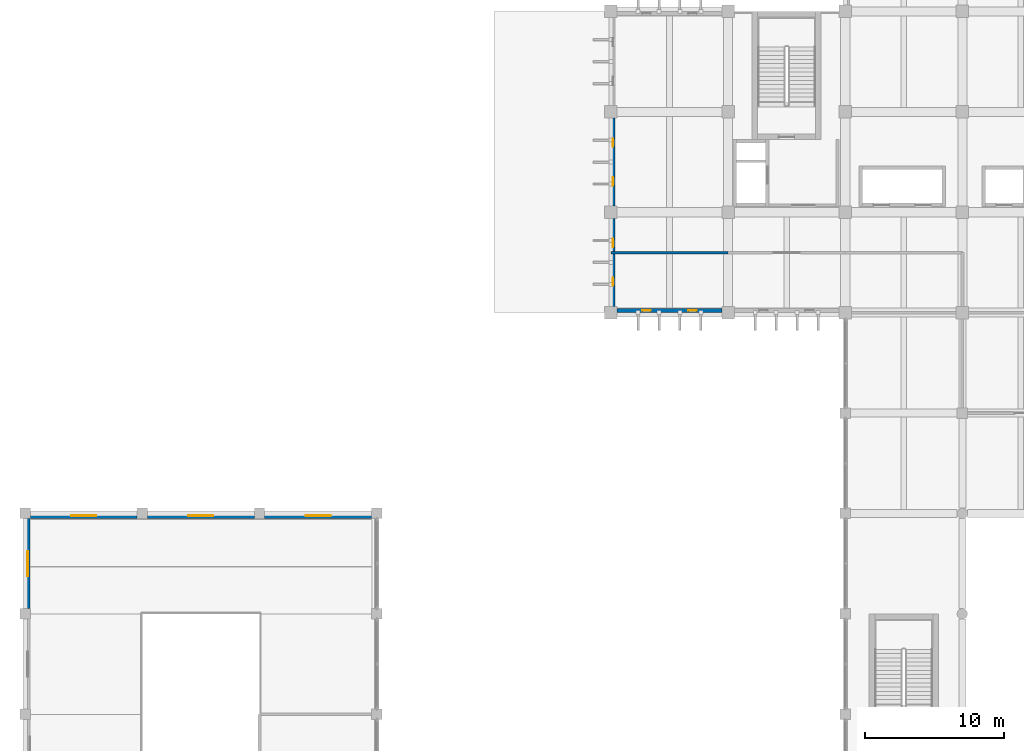
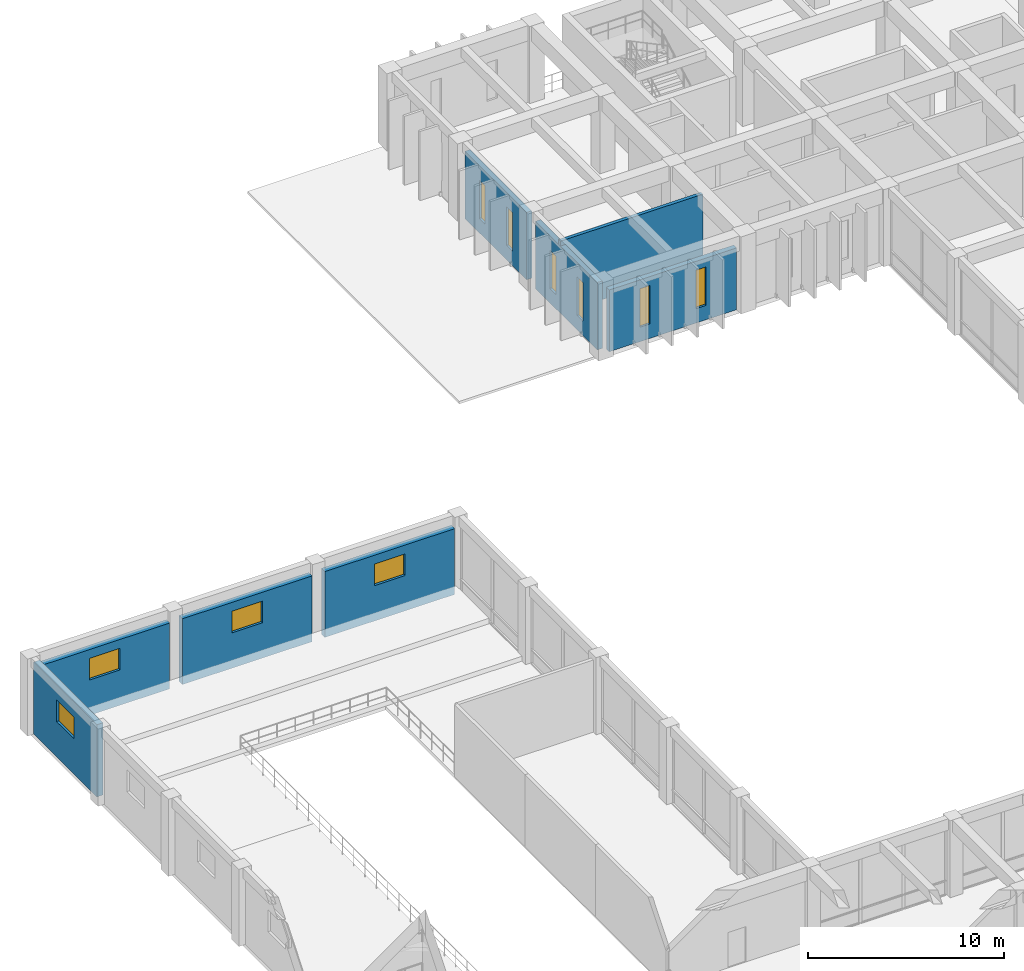
# One storey, part 35 of 52: 10 windows, 8 walls, 10 openings.
"""IFC4 building model written with IfcOpenShell, lengths in metres."""

from ifc_helpers import new_model, si_unit, direction, frame, frame_2d, origin, place, context, subcontext, project, spatial, rectangle, extrude, material, layer, layer_set, type_object, element, fill, save


model = new_model("IFC4")

# Units and contexts
model_context = context("Model", 3, precision=1e-05, world=origin(), true_north=direction((0.0, 1.0)))
body_context = subcontext(model_context, "Body", "Model", "MODEL_VIEW")
ifc_project = project(units=[si_unit("LENGTHUNIT", "METRE"), si_unit("AREAUNIT", "SQUARE_METRE"), si_unit("VOLUMEUNIT", "CUBIC_METRE"), si_unit("PLANEANGLEUNIT", "RADIAN"), si_unit("MASSUNIT", "GRAM", prefix="KILO")], contexts=[model_context])

# Site, building, storey
site_placement = place(None, origin())
site = spatial("IfcSite", under=ifc_project, at=site_placement, CompositionType="ELEMENT")
building_placement = place(site_placement, origin())
building = spatial("IfcBuilding", under=site, at=building_placement, Name="Kenerak Square Central Library", CompositionType="ELEMENT")
storey_placement = place(building_placement, frame((0.0, 0.0, 4.800048828125)))
storey = spatial("IfcBuildingStorey", under=building, at=storey_placement, Name="L01", CompositionType="ELEMENT", Elevation=4.800048828125)

# Wall, opening, window
ifc_material_1 = material(Name="Concrete C40/50", Category="concrete")
ifc_layer_1 = layer(ifc_material_1, 0.35009765625)
ifc_layer_set_1 = layer_set([ifc_layer_1], Name="Concrete C40/50")
wall_type_1 = type_object("IfcWallType", Name="Auditorium Fluted Acoustic Wall AW-350 C40/50", PredefinedType="SOLIDWALL", material=ifc_layer_set_1)
wall_1_placement = place(storey_placement, frame((8.175048828125, 67.574951171875, 0.0), z_axis=(0.0, 0.0, 1.0), x_axis=(0.0, 1.0, 0.0)))
wall_1 = element("IfcWall", 1, at=wall_1_placement, inside=storey, type_object=wall_type_1, Name="Exterior Facade Wall L01 0152", PredefinedType="SOLIDWALL", context=body_context, shape_type="SweptSolid", body=[
    extrude(rectangle(XDim=6.449951171875, YDim=0.35009765625, at=frame_2d((3.22509765625, 0.0))), origin(), (0.0, 0.0, 1.0), 4.5),
])
opening_1_placement = place(wall_1_placement, frame((2.324951171875, 0.0, 2.199951171875)))
opening_1 = element("IfcOpeningElement", 2, at=opening_1_placement, cuts=wall_1, Name="Opening W-08", PredefinedType="OPENING", context=body_context, shape_type="SweptSolid", body=[
    extrude(rectangle(XDim=1.800048828125, YDim=1.35009765625, at=frame_2d((0.89990234375, 0.675048828125))), frame((0.0, 0.18505859375, 0.0), z_axis=(0.0, -1.0, 0.0), x_axis=(1.0, 0.0, 0.0)), (0.0, 0.0, 1.0), 0.3701171875),
])
ifc_material_2 = material(Name="Solar-control low-E laminated double glazing", Category="glass")
window_type_1 = type_object("IfcWindowType", Name="Acoustic Clerestory Window W-08 1800x1350", PartitioningType="SINGLE_PANEL", PredefinedType="WINDOW", material=ifc_material_2)
window_1_placement = place(opening_1_placement, origin())
window_1 = element("IfcWindow", 3, at=window_1_placement, inside=storey, type_object=window_type_1, Name="Window W-08 L01 0141", OverallHeight=1.35009765625, OverallWidth=1.800048828125, PartitioningType="SINGLE_PANEL", PredefinedType="WINDOW", context=body_context, shape_type="SweptSolid", body=[
    extrude(rectangle(XDim=1.800048828125, YDim=1.35009765625, at=frame_2d((0.89990234375, 0.675048828125))), frame((0.0, 0.030029296875, 0.0), z_axis=(0.0, -1.0, 0.0), x_axis=(1.0, 0.0, 0.0)), (0.0, 0.0, 1.0), 0.06005859375),
])
fill(opening_1, window_1)

wall_2_placement = place(storey_placement, frame((8.375, 74.22509765625, 0.0), z_axis=(0.0, 0.0, 1.0), x_axis=(1.0, 0.0, 0.0)))
wall_2 = element("IfcWall", 4, at=wall_2_placement, inside=storey, type_object=wall_type_1, Name="Exterior Facade Wall L01 0153", PredefinedType="SOLIDWALL", context=body_context, shape_type="SweptSolid", body=[
    extrude(rectangle(XDim=7.64990234375, YDim=0.35009765625, at=frame_2d((3.824951171875, 0.0))), origin(), (0.0, 0.0, 1.0), 4.099853515625),
])
opening_2_placement = place(wall_2_placement, frame((2.925048828125, 0.0, 2.199951171875)))
opening_2 = element("IfcOpeningElement", 5, at=opening_2_placement, cuts=wall_2, Name="Opening W-08", PredefinedType="OPENING", context=body_context, shape_type="SweptSolid", body=[
    extrude(rectangle(XDim=1.800048828125, YDim=1.35009765625, at=frame_2d((0.89990234375, 0.675048828125))), frame((0.0, 0.18505859375, 0.0), z_axis=(0.0, -1.0, 0.0), x_axis=(1.0, 0.0, 0.0)), (0.0, 0.0, 1.0), 0.3701171875),
])
window_2_placement = place(opening_2_placement, origin())
window_2 = element("IfcWindow", 6, at=window_2_placement, inside=storey, type_object=window_type_1, Name="Window W-08 L01 0142", OverallHeight=1.35009765625, OverallWidth=1.800048828125, PartitioningType="SINGLE_PANEL", PredefinedType="WINDOW", context=body_context, shape_type="SweptSolid", body=[
    extrude(rectangle(XDim=1.800048828125, YDim=1.35009765625, at=frame_2d((0.89990234375, 0.675048828125))), frame((0.0, 0.030029296875, 0.0), z_axis=(0.0, -1.0, 0.0), x_axis=(1.0, 0.0, 0.0)), (0.0, 0.0, 1.0), 0.06005859375),
])
fill(opening_2, window_2)

wall_3_placement = place(storey_placement, frame((16.77490234375, 74.22509765625, 0.0), z_axis=(0.0, 0.0, 1.0), x_axis=(1.0, 0.0, 0.0)))
wall_3 = element("IfcWall", 7, at=wall_3_placement, inside=storey, type_object=wall_type_1, Name="Exterior Facade Wall L01 0154", PredefinedType="SOLIDWALL", context=body_context, shape_type="SweptSolid", body=[
    extrude(rectangle(XDim=7.650146484375, YDim=0.35009765625, at=frame_2d((3.8251953125, 0.0))), origin(), (0.0, 0.0, 1.0), 4.099853515625),
])
opening_3_placement = place(wall_3_placement, frame((2.925048828125, 0.0, 2.199951171875)))
opening_3 = element("IfcOpeningElement", 8, at=opening_3_placement, cuts=wall_3, Name="Opening W-08", PredefinedType="OPENING", context=body_context, shape_type="SweptSolid", body=[
    extrude(rectangle(XDim=1.800048828125, YDim=1.35009765625, at=frame_2d((0.89990234375, 0.675048828125))), frame((0.0, 0.18505859375, 0.0), z_axis=(0.0, -1.0, 0.0), x_axis=(1.0, 0.0, 0.0)), (0.0, 0.0, 1.0), 0.3701171875),
])
window_3_placement = place(opening_3_placement, origin())
window_3 = element("IfcWindow", 9, at=window_3_placement, inside=storey, type_object=window_type_1, Name="Window W-08 L01 0143", OverallHeight=1.35009765625, OverallWidth=1.800048828125, PartitioningType="SINGLE_PANEL", PredefinedType="WINDOW", context=body_context, shape_type="SweptSolid", body=[
    extrude(rectangle(XDim=1.800048828125, YDim=1.35009765625, at=frame_2d((0.89990234375, 0.675048828125))), frame((0.0, 0.030029296875, 0.0), z_axis=(0.0, -1.0, 0.0), x_axis=(1.0, 0.0, 0.0)), (0.0, 0.0, 1.0), 0.06005859375),
])
fill(opening_3, window_3)

wall_4_placement = place(storey_placement, frame((25.175048828125, 74.22509765625, 0.0), z_axis=(0.0, 0.0, 1.0), x_axis=(1.0, 0.0, 0.0)))
wall_4 = element("IfcWall", 10, at=wall_4_placement, inside=storey, type_object=wall_type_1, Name="Exterior Facade Wall L01 0155", PredefinedType="SOLIDWALL", context=body_context, shape_type="SweptSolid", body=[
    extrude(rectangle(XDim=7.64990234375, YDim=0.35009765625, at=frame_2d((3.824951171875, 0.0))), origin(), (0.0, 0.0, 1.0), 4.099853515625),
])
opening_4_placement = place(wall_4_placement, frame((2.925048828125, 0.0, 2.199951171875)))
opening_4 = element("IfcOpeningElement", 11, at=opening_4_placement, cuts=wall_4, Name="Opening W-08", PredefinedType="OPENING", context=body_context, shape_type="SweptSolid", body=[
    extrude(rectangle(XDim=1.800048828125, YDim=1.35009765625, at=frame_2d((0.89990234375, 0.675048828125))), frame((0.0, 0.18505859375, 0.0), z_axis=(0.0, -1.0, 0.0), x_axis=(1.0, 0.0, 0.0)), (0.0, 0.0, 1.0), 0.3701171875),
])
window_4_placement = place(opening_4_placement, origin())
window_4 = element("IfcWindow", 12, at=window_4_placement, inside=storey, type_object=window_type_1, Name="Window W-08 L01 0144", OverallHeight=1.35009765625, OverallWidth=1.800048828125, PartitioningType="SINGLE_PANEL", PredefinedType="WINDOW", context=body_context, shape_type="SweptSolid", body=[
    extrude(rectangle(XDim=1.800048828125, YDim=1.35009765625, at=frame_2d((0.89990234375, 0.675048828125))), frame((0.0, 0.030029296875, 0.0), z_axis=(0.0, -1.0, 0.0), x_axis=(1.0, 0.0, 0.0)), (0.0, 0.0, 1.0), 0.06005859375),
])
fill(opening_4, window_4)

# Wall, openings, windows
ifc_layer_2 = layer(ifc_material_1, 0.300048828125)
ifc_layer_set_2 = layer_set([ifc_layer_2], Name="Concrete C40/50")
wall_type_2 = type_object("IfcWallType", Name="Board-Marked Brutalist Facade Wall EW-300 C40/50", PredefinedType="SOLIDWALL", material=ifc_layer_set_2)
wall_5_placement = place(storey_placement, frame((57.949951171875, 88.949951171875, 0.0), z_axis=(0.0, 0.0, 1.0), x_axis=(-1.0, 0.0, 0.0)))
wall_5 = element("IfcWall", 13, at=wall_5_placement, inside=storey, type_object=wall_type_2, Name="Exterior Facade Wall L01 0110", PredefinedType="SOLIDWALL", context=body_context, shape_type="SweptSolid", body=[
    extrude(rectangle(XDim=7.5, YDim=0.300048828125, at=frame_2d((3.75, 0.0))), origin(), (0.0, 0.0, 1.0), 3.849853515625),
])
opening_5_placement = place(wall_5_placement, frame((1.800048828125, 0.0, 0.89990234375)))
opening_5 = element("IfcOpeningElement", 14, at=opening_5_placement, cuts=wall_5, Name="Opening W-01", PredefinedType="OPENING", context=body_context, shape_type="SweptSolid", body=[
    extrude(rectangle(XDim=0.60009765625, YDim=2.39990234375, at=frame_2d((0.300048828125, 1.199951171875))), frame((0.0, 0.159912109375, 0.0), z_axis=(0.0, -1.0, 0.0), x_axis=(1.0, 0.0, 0.0)), (0.0, 0.0, 1.0), 0.320068359375),
])
opening_6_placement = place(wall_5_placement, frame((5.10009765625, 0.0, 0.89990234375)))
opening_6 = element("IfcOpeningElement", 15, at=opening_6_placement, cuts=wall_5, Name="Opening W-01", PredefinedType="OPENING", context=body_context, shape_type="SweptSolid", body=[
    extrude(rectangle(XDim=0.60009765625, YDim=2.39990234375, at=frame_2d((0.300048828125, 1.199951171875))), frame((0.0, 0.159912109375, 0.0), z_axis=(0.0, -1.0, 0.0), x_axis=(1.0, 0.0, 0.0)), (0.0, 0.0, 1.0), 0.320068359375),
])
window_type_2 = type_object("IfcWindowType", Name="UV-Filtered Stack Slot Window W-01 600x2400", PartitioningType="SINGLE_PANEL", PredefinedType="WINDOW", material=ifc_material_2)
window_5_placement = place(opening_5_placement, origin())
window_5 = element("IfcWindow", 16, at=window_5_placement, inside=storey, type_object=window_type_2, Name="Window W-01 L01 0082", OverallHeight=2.39990234375, OverallWidth=0.60009765625, PartitioningType="SINGLE_PANEL", PredefinedType="WINDOW", context=body_context, shape_type="SweptSolid", body=[
    extrude(rectangle(XDim=0.60009765625, YDim=2.39990234375, at=frame_2d((0.300048828125, 1.199951171875))), frame((0.0, 0.030029296875, 0.0), z_axis=(0.0, -1.0, 0.0), x_axis=(1.0, 0.0, 0.0)), (0.0, 0.0, 1.0), 0.06005859375),
])
fill(opening_5, window_5)
window_6_placement = place(opening_6_placement, origin())
window_6 = element("IfcWindow", 17, at=window_6_placement, inside=storey, type_object=window_type_2, Name="Window W-01 L01 0083", OverallHeight=2.39990234375, OverallWidth=0.60009765625, PartitioningType="SINGLE_PANEL", PredefinedType="WINDOW", context=body_context, shape_type="SweptSolid", body=[
    extrude(rectangle(XDim=0.60009765625, YDim=2.39990234375, at=frame_2d((0.300048828125, 1.199951171875))), frame((0.0, 0.030029296875, 0.0), z_axis=(0.0, -1.0, 0.0), x_axis=(1.0, 0.0, 0.0)), (0.0, 0.0, 1.0), 0.06005859375),
])
fill(opening_6, window_6)

wall_6_placement = place(storey_placement, frame((50.14990234375, 89.25, 0.0), z_axis=(0.0, 0.0, 1.0), x_axis=(0.0, 1.0, 0.0)))
wall_6 = element("IfcWall", 18, at=wall_6_placement, inside=storey, type_object=wall_type_2, Name="Exterior Facade Wall L01 0111", PredefinedType="SOLIDWALL", context=body_context, shape_type="SweptSolid", body=[
    extrude(rectangle(XDim=6.300048828125, YDim=0.300048828125, at=frame_2d((3.14990234375, 0.0))), origin(), (0.0, 0.0, 1.0), 4.199951171875),
])
opening_7_placement = place(wall_6_placement, frame((1.464111328125, 0.0, 0.89990234375)))
opening_7 = element("IfcOpeningElement", 19, at=opening_7_placement, cuts=wall_6, Name="Opening W-01", PredefinedType="OPENING", context=body_context, shape_type="SweptSolid", body=[
    extrude(rectangle(XDim=0.60009765625, YDim=2.39990234375, at=frame_2d((0.300048828125, 1.199951171875))), frame((0.0, 0.159912109375, 0.0), z_axis=(0.0, -1.0, 0.0), x_axis=(1.0, 0.0, 0.0)), (0.0, 0.0, 1.0), 0.320068359375),
])
opening_8_placement = place(wall_6_placement, frame((4.236083984375, 0.0, 0.89990234375)))
opening_8 = element("IfcOpeningElement", 20, at=opening_8_placement, cuts=wall_6, Name="Opening W-01", PredefinedType="OPENING", context=body_context, shape_type="SweptSolid", body=[
    extrude(rectangle(XDim=0.60009765625, YDim=2.39990234375, at=frame_2d((0.300048828125, 1.199951171875))), frame((0.0, 0.159912109375, 0.0), z_axis=(0.0, -1.0, 0.0), x_axis=(1.0, 0.0, 0.0)), (0.0, 0.0, 1.0), 0.320068359375),
])
window_7_placement = place(opening_7_placement, origin())
window_7 = element("IfcWindow", 21, at=window_7_placement, inside=storey, type_object=window_type_2, Name="Window W-01 L01 0084", OverallHeight=2.39990234375, OverallWidth=0.60009765625, PartitioningType="SINGLE_PANEL", PredefinedType="WINDOW", context=body_context, shape_type="SweptSolid", body=[
    extrude(rectangle(XDim=0.60009765625, YDim=2.39990234375, at=frame_2d((0.300048828125, 1.199951171875))), frame((0.0, 0.030029296875, 0.0), z_axis=(0.0, -1.0, 0.0), x_axis=(1.0, 0.0, 0.0)), (0.0, 0.0, 1.0), 0.06005859375),
])
fill(opening_7, window_7)
window_8_placement = place(opening_8_placement, origin())
window_8 = element("IfcWindow", 22, at=window_8_placement, inside=storey, type_object=window_type_2, Name="Window W-01 L01 0085", OverallHeight=2.39990234375, OverallWidth=0.60009765625, PartitioningType="SINGLE_PANEL", PredefinedType="WINDOW", context=body_context, shape_type="SweptSolid", body=[
    extrude(rectangle(XDim=0.60009765625, YDim=2.39990234375, at=frame_2d((0.300048828125, 1.199951171875))), frame((0.0, 0.030029296875, 0.0), z_axis=(0.0, -1.0, 0.0), x_axis=(1.0, 0.0, 0.0)), (0.0, 0.0, 1.0), 0.06005859375),
])
fill(opening_8, window_8)

wall_7_placement = place(storey_placement, frame((50.14990234375, 96.449951171875, 0.0), z_axis=(0.0, 0.0, 1.0), x_axis=(0.0, 1.0, 0.0)))
wall_7 = element("IfcWall", 23, at=wall_7_placement, inside=storey, type_object=wall_type_2, Name="Exterior Facade Wall L01 0112", PredefinedType="SOLIDWALL", context=body_context, shape_type="SweptSolid", body=[
    extrude(rectangle(XDim=6.300048828125, YDim=0.300048828125, at=frame_2d((3.14990234375, 0.0))), origin(), (0.0, 0.0, 1.0), 4.199951171875),
])
opening_9_placement = place(wall_7_placement, frame((1.464111328125, 0.0, 0.89990234375)))
opening_9 = element("IfcOpeningElement", 24, at=opening_9_placement, cuts=wall_7, Name="Opening W-01", PredefinedType="OPENING", context=body_context, shape_type="SweptSolid", body=[
    extrude(rectangle(XDim=0.60009765625, YDim=2.39990234375, at=frame_2d((0.300048828125, 1.199951171875))), frame((0.0, 0.159912109375, 0.0), z_axis=(0.0, -1.0, 0.0), x_axis=(1.0, 0.0, 0.0)), (0.0, 0.0, 1.0), 0.320068359375),
])
opening_10_placement = place(wall_7_placement, frame((4.236083984375, 0.0, 0.89990234375)))
opening_10 = element("IfcOpeningElement", 25, at=opening_10_placement, cuts=wall_7, Name="Opening W-01", PredefinedType="OPENING", context=body_context, shape_type="SweptSolid", body=[
    extrude(rectangle(XDim=0.60009765625, YDim=2.39990234375, at=frame_2d((0.300048828125, 1.199951171875))), frame((0.0, 0.159912109375, 0.0), z_axis=(0.0, -1.0, 0.0), x_axis=(1.0, 0.0, 0.0)), (0.0, 0.0, 1.0), 0.320068359375),
])
window_9_placement = place(opening_9_placement, origin())
window_9 = element("IfcWindow", 26, at=window_9_placement, inside=storey, type_object=window_type_2, Name="Window W-01 L01 0086", OverallHeight=2.39990234375, OverallWidth=0.60009765625, PartitioningType="SINGLE_PANEL", PredefinedType="WINDOW", context=body_context, shape_type="SweptSolid", body=[
    extrude(rectangle(XDim=0.60009765625, YDim=2.39990234375, at=frame_2d((0.300048828125, 1.199951171875))), frame((0.0, 0.030029296875, 0.0), z_axis=(0.0, -1.0, 0.0), x_axis=(1.0, 0.0, 0.0)), (0.0, 0.0, 1.0), 0.06005859375),
])
fill(opening_9, window_9)
window_10_placement = place(opening_10_placement, origin())
window_10 = element("IfcWindow", 27, at=window_10_placement, inside=storey, type_object=window_type_2, Name="Window W-01 L01 0087", OverallHeight=2.39990234375, OverallWidth=0.60009765625, PartitioningType="SINGLE_PANEL", PredefinedType="WINDOW", context=body_context, shape_type="SweptSolid", body=[
    extrude(rectangle(XDim=0.60009765625, YDim=2.39990234375, at=frame_2d((0.300048828125, 1.199951171875))), frame((0.0, 0.030029296875, 0.0), z_axis=(0.0, -1.0, 0.0), x_axis=(1.0, 0.0, 0.0)), (0.0, 0.0, 1.0), 0.06005859375),
])
fill(opening_10, window_10)

# Wall
ifc_material_3 = material(Name="Precast concrete C40/50", Category="concrete")
ifc_layer_3 = layer(ifc_material_3, 0.199951171875)
ifc_layer_set_3 = layer_set([ifc_layer_3], Name="Precast concrete C40/50")
wall_type_3 = type_object("IfcWallType", Name="Protected Corridor Fire Wall IW-200 C40/50", PredefinedType="PARTITIONING", material=ifc_layer_set_3)
wall_8_placement = place(storey_placement, frame((50.0, 93.10009765625, 0.0), z_axis=(0.0, 0.0, 1.0), x_axis=(1.0, 0.0, 0.0)))
element("IfcWall", 28, at=wall_8_placement, inside=storey, type_object=wall_type_3, Name="Interior Wall IW-L01-10-N2-B1", PredefinedType="PARTITIONING", context=body_context, shape_type="SweptSolid", body=[
    extrude(rectangle(XDim=8.39990234375, YDim=0.199951171875, at=frame_2d((4.199951171875, 0.0))), origin(), (0.0, 0.0, 1.0), 4.5),
])

save(model, "model.ifc")
